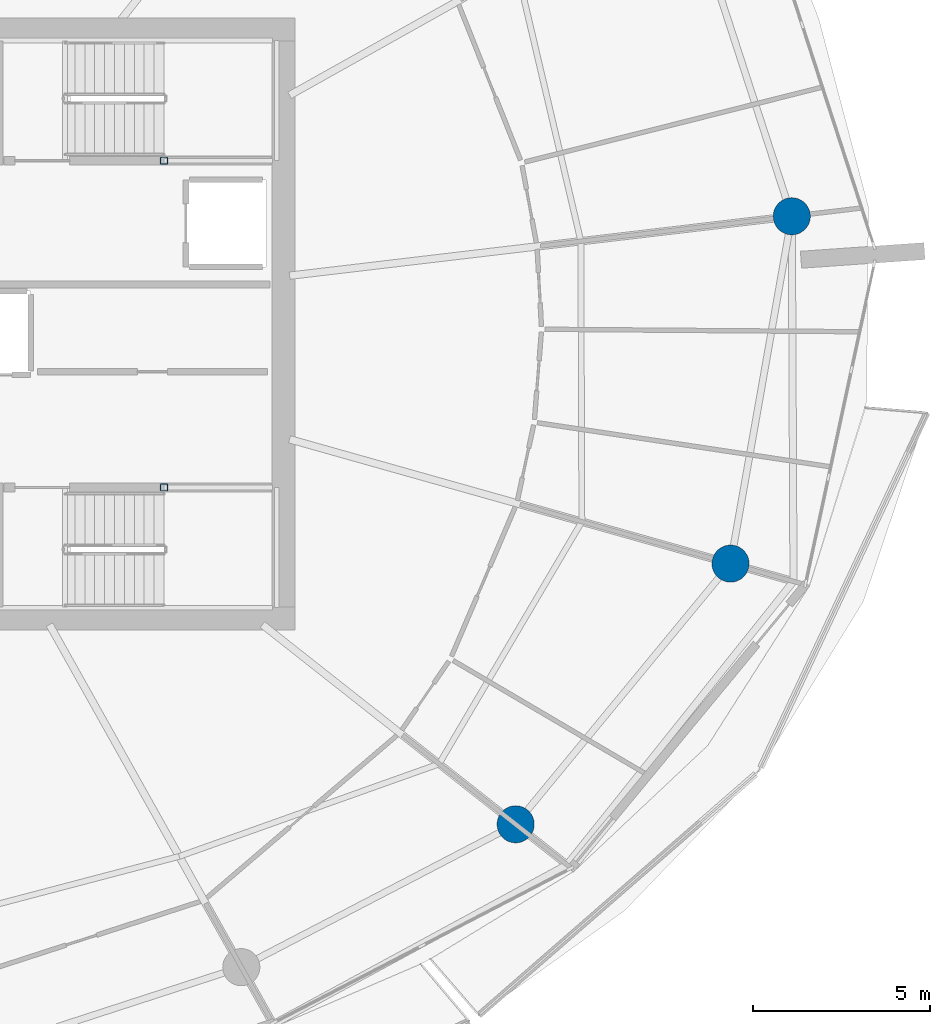
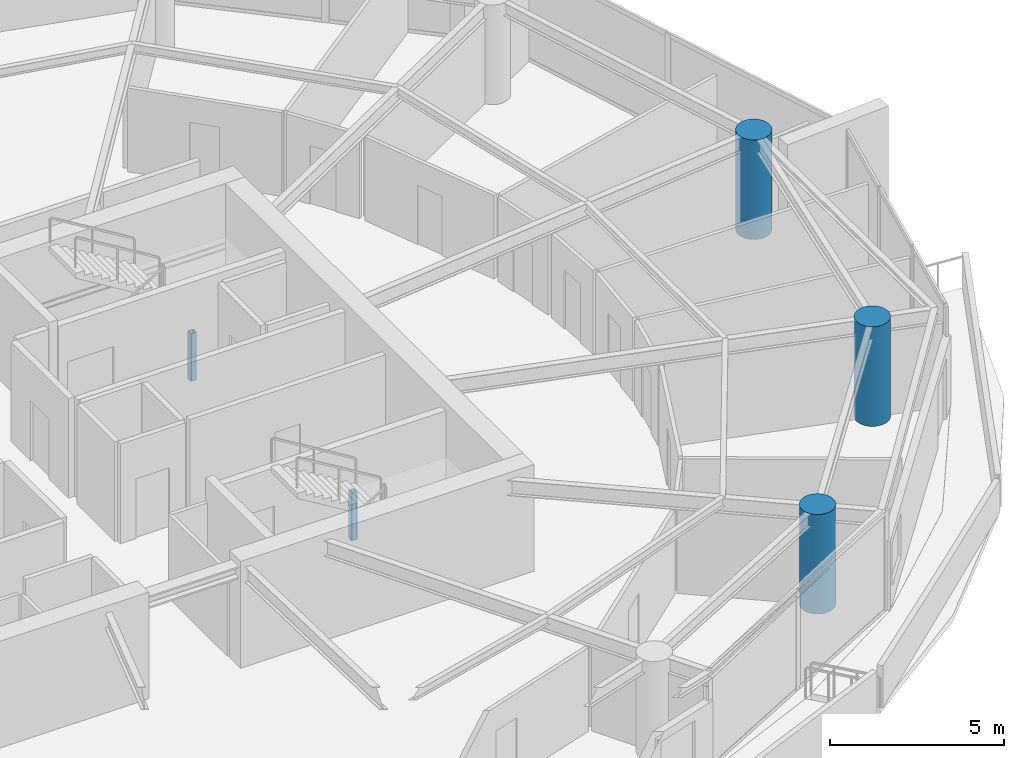
# One storey, part 3 of 19: 5 columns.
"""IFC4 building model written with IfcOpenShell, lengths in metres."""

from ifc_helpers import new_model, si_unit, direction, frame, origin, origin_2d, place, context, subcontext, project, spatial, hollow_rectangle, circle, extrude, material, material_profile, profile_set, type_object, element, save


model = new_model("IFC4")

# Units and contexts
model_context = context("Model", 3, precision=1e-05, world=origin(), true_north=direction((0.0, 1.0)))
body_context = subcontext(model_context, "Body", "Model", "MODEL_VIEW")
ifc_project = project(units=[si_unit("LENGTHUNIT", "METRE"), si_unit("AREAUNIT", "SQUARE_METRE"), si_unit("VOLUMEUNIT", "CUBIC_METRE"), si_unit("PLANEANGLEUNIT", "RADIAN"), si_unit("MASSUNIT", "GRAM", prefix="KILO")], contexts=[model_context])

# Site, building, storey
site_placement = place(None, origin())
site = spatial("IfcSite", under=ifc_project, at=site_placement, CompositionType="ELEMENT")
building_placement = place(site_placement, origin())
building = spatial("IfcBuilding", under=site, at=building_placement, Name="Kazma Halo Residences", CompositionType="ELEMENT")
storey_placement = place(building_placement, frame((0.0, 0.0, 199.050048828125)))
storey = spatial("IfcBuildingStorey", under=building, at=storey_placement, Name="L50", CompositionType="ELEMENT", Elevation=199.050048828125)

# Columns
ifc_material_1 = material(Name="Steel S355", Category="steel")
ifc_material_profile_1 = material_profile(ifc_material_1, hollow_rectangle(XDim=0.199951171875, YDim=0.199951171875, WallThickness=0.010009765625, InnerFilletRadius=0.010009765625, OuterFilletRadius=0.02001953125, at=origin_2d()), Name="SHS200x200x10")
ifc_profile_set_1 = profile_set([ifc_material_profile_1], Name="Steel S355")
column_type_1 = type_object("IfcColumnType", Name="COL-LP-SHS200", PredefinedType="COLUMN", material=ifc_profile_set_1)
for number, where, z_axis, x_axis, name in (
    (1, (56.0, 46.6201171875, 0.0), (0.0, 0.0, 1.0), (1.0, 0.0, 0.0), "L50 ST-02 landing pilaster 1"),
    (2, (56.0, 37.3798828125, 0.0), (0.0, 0.0, 1.0), (1.0, 0.0, 0.0), "L50 ST-03 landing pilaster 1"),
):
    element("IfcColumn", number, at=place(storey_placement, frame(where, z_axis=z_axis, x_axis=x_axis)), inside=storey, type_object=column_type_1, Name=name, PredefinedType="COLUMN", context=body_context, shape_type="SweptSolid", body=[
        extrude(hollow_rectangle(XDim=0.199951171875, YDim=0.199951171875, WallThickness=0.010009765625, InnerFilletRadius=0.010009765625, OuterFilletRadius=0.02001953125, at=origin_2d()), origin(), (0.0, 0.0, 1.0), 1.669921875),
    ])
ifc_material_2 = material(Name="Concrete C80/95", Category="concrete")
ifc_material_profile_2 = material_profile(ifc_material_2, circle(Radius=0.52490234375, at=origin_2d()), Name="CIRC1050")
ifc_profile_set_2 = profile_set([ifc_material_profile_2], Name="Concrete C80/95")
column_type_2 = type_object("IfcColumnType", Name="COL-PERIM-1050", PredefinedType="COLUMN", material=ifc_profile_set_2)
for number, where, z_axis, x_axis, name in (
    (3, (65.944091796875, 27.85400390625, 0.0), (0.0, 0.0, 1.0), (1.0, 0.0, 0.0), "L50 perimeter ring column P14"),
    (4, (72.019775390625, 35.2255859375, 0.0), (0.0, 0.0, 1.0), (1.0, 0.0, 0.0), "L50 perimeter ring column P15"),
    (5, (73.751708984375, 45.0478515625, 0.0), (0.0, 0.0, 1.0), (1.0, 0.0, 0.0), "L50 perimeter ring column P16"),
):
    element("IfcColumn", number, at=place(storey_placement, frame(where, z_axis=z_axis, x_axis=x_axis)), inside=storey, type_object=column_type_2, Name=name, PredefinedType="COLUMN", context=body_context, shape_type="SweptSolid", body=[
        extrude(circle(Radius=0.52490234375, at=origin_2d()), origin(), (0.0, 0.0, 1.0), 3.5),
    ])

save(model, "model.ifc")
